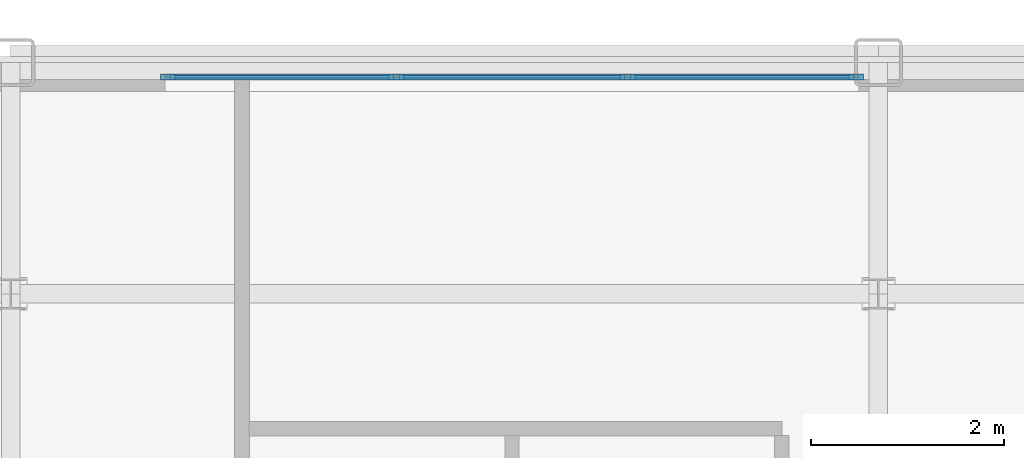
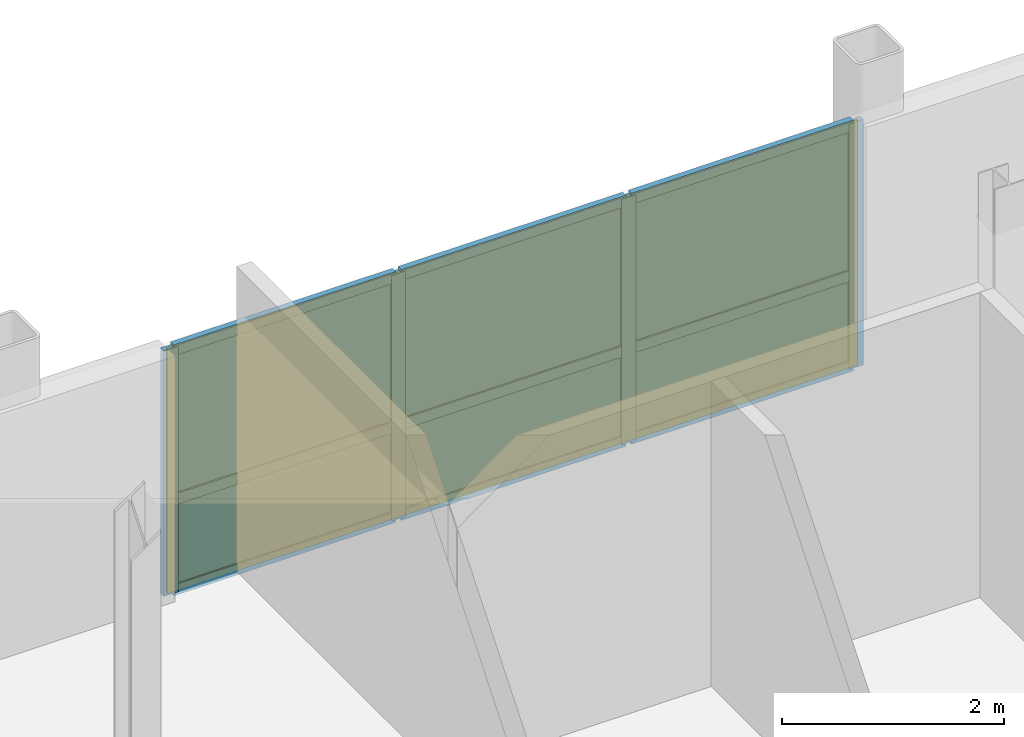
# One storey, part 11 of 16: 13 members, 6 plates, 1 curtain wall.
"""IFC4 building model written with IfcOpenShell, lengths in metres."""

import ifcopenshell
import ifcopenshell.guid

model = None  # the IFC model being written
_history = None  # IfcOwnerHistory: only IFC2X3 demands one
_inside = {}  # id of a spatial element -> (the spatial element, [elements in it])
_under = {}  # id of a project, library or spatial element -> (it, [spatial elements below it])
_declared = {}  # id of a project -> (the project, [libraries it declares])
_typed = {}  # id of a type object -> (the type object, [elements of that type])
_made_of = {}  # id of a material, layer set ... -> (it, [elements and type objects made of it])


def new_model(schema):
    """Start an empty IFC model of exactly this schema.

    Asked for "IFC4X3", IfcOpenShell would pick the latest addendum, in which some entities
    have other attributes; the version numbers below select the first issue.
    IFC2X3 requires an IfcOwnerHistory on every rooted entity: one is made here for all.
    """
    global model, _history
    if schema == "IFC4X3":
        model = ifcopenshell.file(schema_version=(4, 3, 0, 0))
    else:
        model = ifcopenshell.file(schema=schema)
    _inside.clear()
    _under.clear()
    _declared.clear()
    _typed.clear()
    _made_of.clear()
    _history = None
    if model.schema == "IFC2X3":
        org = make("IfcOrganization", Name="unknown")
        user = make(
            "IfcPersonAndOrganization",
            ThePerson=make("IfcPerson", FamilyName="unknown"),
            TheOrganization=org,
        )
        app = make(
            "IfcApplication",
            ApplicationDeveloper=org,
            Version="unknown",
            ApplicationFullName="unknown",
            ApplicationIdentifier="unknown",
        )
        _history = make(
            "IfcOwnerHistory",
            OwningUser=user,
            OwningApplication=app,
            ChangeAction="ADDED",
            CreationDate=0,
        )
    return model


def make(cls, **values):
    """One entity of the class cls with the attributes given. An attribute that is None is left unset."""
    return model.create_entity(
        cls, **{name: value for name, value in values.items() if value is not None}
    )


def rooted(cls, **values):
    """An entity with a GlobalId (a new one), such as an element, a storey or a relation."""
    return make(cls, GlobalId=ifcopenshell.guid.new(), OwnerHistory=_history, **values)


def si_unit(unit_type, name, prefix=None):
    """IfcSIUnit, for example si_unit("LENGTHUNIT", "METRE", prefix="MILLI")."""
    return make("IfcSIUnit", UnitType=unit_type, Prefix=prefix, Name=name)


def assignment(units):
    """IfcUnitAssignment: the units of a project."""
    return None if units is None else make("IfcUnitAssignment", Units=units)


def point(xyz):
    """IfcCartesianPoint."""
    return None if xyz is None else make("IfcCartesianPoint", Coordinates=xyz)


def direction(xyz):
    """IfcDirection."""
    return None if xyz is None else make("IfcDirection", DirectionRatios=xyz)


def frame(location, z_axis=None, x_axis=None):
    """IfcAxis2Placement3D, a coordinate frame: its origin and axes. An axis left out is left unset."""
    return make(
        "IfcAxis2Placement3D",
        Location=point(location),
        Axis=direction(z_axis),
        RefDirection=direction(x_axis),
    )


def frame_2d(location, x_axis=None):
    """IfcAxis2Placement2D, a coordinate frame in the plane: its origin and x axis."""
    return make(
        "IfcAxis2Placement2D", Location=point(location), RefDirection=direction(x_axis)
    )


def origin():
    """The frame at (0, 0, 0) with its axes left unset."""
    return frame((0.0, 0.0, 0.0))


def origin_2d():
    """The frame at (0, 0) in the plane with its x axis left unset."""
    return frame_2d((0.0, 0.0))


def place(relative_to, where):
    """IfcLocalPlacement: puts the frame where relative to a parent placement (None: the world)."""
    return make(
        "IfcLocalPlacement", PlacementRelTo=relative_to, RelativePlacement=where
    )


def context(
    kind, dimensions, precision=None, world=None, true_north=None, identifier=None
):
    """IfcGeometricRepresentationContext, for example the 3D "Model" context."""
    return make(
        "IfcGeometricRepresentationContext",
        ContextIdentifier=identifier,
        ContextType=kind,
        CoordinateSpaceDimension=dimensions,
        Precision=precision,
        WorldCoordinateSystem=world,
        TrueNorth=true_north,
    )


def subcontext(parent, identifier, kind, view, scale=None):
    """IfcGeometricRepresentationSubContext, for example "Body" below "Model"."""
    return make(
        "IfcGeometricRepresentationSubContext",
        ContextIdentifier=identifier,
        ContextType=kind,
        ParentContext=parent,
        TargetScale=scale,
        TargetView=view,
    )


def project(units=None, contexts=None):
    """IfcProject with its units and contexts."""
    return rooted(
        "IfcProject",
        Name="project",
        RepresentationContexts=contexts,
        UnitsInContext=assignment(units),
    )


def spatial(cls, under=None, at=None, **own):
    """A site, building, storey or space (cls), placed at a placement, below another one or the project."""
    s = rooted(cls, ObjectPlacement=at, **own)
    if under is not None:
        _under.setdefault(under.id(), (under, []))[1].append(s)
    return s


def profile(cls, at=None, kind="AREA", **sizes):
    """A parametric profile (cls). Its sizes go by their IFC names, for example OverallWidth=200.0."""
    return make(cls, ProfileType=kind, Position=at, **sizes)


def rectangle(**sizes):
    """IfcRectangleProfileDef."""
    return profile("IfcRectangleProfileDef", **sizes)


def extrude(swept, where, along, depth):
    """IfcExtrudedAreaSolid: the profile swept, set in the frame where, extruded along a direction by depth."""
    return make(
        "IfcExtrudedAreaSolid",
        SweptArea=swept,
        Position=where,
        ExtrudedDirection=direction(along),
        Depth=depth,
    )


def shape(context_of_items, identifier, shape_type, items):
    """IfcShapeRepresentation: the items that make up one representation, for example the "Body"."""
    return make(
        "IfcShapeRepresentation",
        ContextOfItems=context_of_items,
        RepresentationIdentifier=identifier,
        RepresentationType=shape_type,
        Items=items,
    )


def source(mapping_origin, context_of_items, identifier, shape_type, items):
    """IfcRepresentationMap: a shape defined once, which mapped items show again and again."""
    return make(
        "IfcRepresentationMap",
        MappingOrigin=mapping_origin,
        MappedRepresentation=shape(context_of_items, identifier, shape_type, items),
    )


def transform(
    local_origin,
    x_axis=None,
    y_axis=None,
    z_axis=None,
    scale=None,
    scale2=None,
    scale3=None,
    uniform=True,
):
    """IfcCartesianTransformationOperator3D, or its non-uniform kind. x_axis, y_axis, z_axis: its Axis1, 2, 3."""
    if uniform:
        return make(
            "IfcCartesianTransformationOperator3D",
            Axis1=direction(x_axis),
            Axis2=direction(y_axis),
            LocalOrigin=point(local_origin),
            Scale=scale,
            Axis3=direction(z_axis),
        )
    return make(
        "IfcCartesianTransformationOperator3DnonUniform",
        Axis1=direction(x_axis),
        Axis2=direction(y_axis),
        LocalOrigin=point(local_origin),
        Scale=scale,
        Axis3=direction(z_axis),
        Scale2=scale2,
        Scale3=scale3,
    )


def mapped(mapping_source, mapping_target):
    """IfcMappedItem: shows the shape of a source again, moved by a transform."""
    return make(
        "IfcMappedItem", MappingSource=mapping_source, MappingTarget=mapping_target
    )


def material(Name=None, Category=None):
    """IfcMaterial."""
    return make("IfcMaterial", Name=Name, Category=Category)


def layer(
    of_material, thickness, ventilated=None, Name=None, Category=None, Priority=None
):
    """IfcMaterialLayer: one layer of a wall or slab, of a material (None: an air gap)."""
    return make(
        "IfcMaterialLayer",
        Material=of_material,
        LayerThickness=thickness,
        IsVentilated=ventilated,
        Name=Name,
        Category=Category,
        Priority=Priority,
    )


def layer_set(layers, Name=None):
    """IfcMaterialLayerSet."""
    return make("IfcMaterialLayerSet", MaterialLayers=layers, LayerSetName=Name)


def material_profile(
    of_material, cross_section, Name=None, Category=None, Priority=None
):
    """IfcMaterialProfile: a cross section and its material."""
    return make(
        "IfcMaterialProfile",
        Name=Name,
        Material=of_material,
        Profile=cross_section,
        Priority=Priority,
        Category=Category,
    )


def profile_set(profiles, Name=None, composite=None):
    """IfcMaterialProfileSet."""
    return make(
        "IfcMaterialProfileSet",
        Name=Name,
        MaterialProfiles=profiles,
        CompositeProfile=composite,
    )


def made_of(thing, what):
    """Note that an element or type object is made of a material, layer set ...; save() writes the relation."""
    if what is not None:
        _made_of.setdefault(what.id(), (what, []))[1].append(thing)
    return thing


def type_object(cls, material=None, **own):
    """A type object (cls), such as IfcWallType, which elements share."""
    return made_of(rooted(cls, **own), material)


def type_shapes(of_type, sources):
    """Give a type object the sources (RepresentationMaps) that its elements show as mapped items."""
    of_type.RepresentationMaps = sources


def element(
    cls,
    number,
    at=None,
    inside=None,
    cuts=None,
    type_object=None,
    material=None,
    context=None,
    identifier="Body",
    shape_type=None,
    held_by="IfcProductDefinitionShape",
    body=None,
    shapes=None,
    **own,
):
    """One element of the class cls, such as IfcWall. Its Tag is "e" and its number.

    at: its placement. inside: the storey or other place that contains it. cuts: it is an
    opening in that element (IfcRelVoidsElement). A single representation is given by context,
    identifier, shape_type and body (its items); several are given by shapes. held_by: the class
    of the entity that holds the representations. save() writes the other relations.
    """
    e = rooted(cls, Tag="e%d" % number, ObjectPlacement=at, **own)
    if body is not None:
        shapes = [shape(context, identifier, shape_type, body)]
    if shapes is not None:
        e.Representation = make(held_by, Representations=shapes)
    if inside is not None:
        _inside.setdefault(inside.id(), (inside, []))[1].append(e)
    if cuts is not None:
        rooted(
            "IfcRelVoidsElement", RelatingBuildingElement=cuts, RelatedOpeningElement=e
        )
    if type_object is not None:
        _typed.setdefault(type_object.id(), (type_object, []))[1].append(e)
    return made_of(e, material)


def aggregate(whole, parts):
    """IfcRelAggregates: a whole, such as a stair, and the parts it consists of."""
    return rooted("IfcRelAggregates", RelatingObject=whole, RelatedObjects=parts)


def save(model, path):
    """Write the relations noted so far, then the file.

    IfcRelAggregates (storeys below a building ...), IfcRelContainedInSpatialStructure (elements
    in a storey), IfcRelDefinesByType, IfcRelAssociatesMaterial and IfcRelDeclares: one each for
    every whole, place, type object, material and project.
    """
    for whole, parts in _under.values():
        aggregate(whole, parts)
    for where, things in _inside.values():
        rooted(
            "IfcRelContainedInSpatialStructure",
            RelatedElements=things,
            RelatingStructure=where,
        )
    for kind, things in _typed.values():
        rooted("IfcRelDefinesByType", RelatedObjects=things, RelatingType=kind)
    for what, things in _made_of.values():
        rooted("IfcRelAssociatesMaterial", RelatedObjects=things, RelatingMaterial=what)
    for by, libraries in _declared.values():
        rooted("IfcRelDeclares", RelatingContext=by, RelatedDefinitions=libraries)
    model.write(path)


model = new_model("IFC4")

# Units and contexts
model_context = context("Model", 3, precision=1e-05, world=origin(), true_north=direction((0.0, 1.0)))
body_context = subcontext(model_context, "Body", "Model", "MODEL_VIEW")
ifc_project = project(units=[si_unit("LENGTHUNIT", "METRE"), si_unit("AREAUNIT", "SQUARE_METRE"), si_unit("VOLUMEUNIT", "CUBIC_METRE"), si_unit("PLANEANGLEUNIT", "RADIAN"), si_unit("MASSUNIT", "GRAM", prefix="KILO")], contexts=[model_context])

# Member
ifc_material_1 = material(Name="Anodised aluminium 6063-T6", Category="aluminium")
ifc_material_profile_1 = material_profile(ifc_material_1, rectangle(XDim=0.06005859375, YDim=0.14990234375, at=origin_2d()), Name="ALU-MULL-60x150")
ifc_profile_set_1 = profile_set([ifc_material_profile_1], Name="Anodised aluminium 6063-T6")
member_type_1 = type_object("IfcMemberType", Name="CWM-4", PredefinedType="MULLION", material=ifc_profile_set_1)
site_placement = place(None, origin())
building_placement = place(site_placement, origin())
storey_placement = place(building_placement, frame((0.0, 0.0, 227.39990234375)))
member_1_placement = place(storey_placement, frame((-7.3701171875, 19.25, 0.0), z_axis=(0.0, 0.0, 1.0), x_axis=(0.0, 1.0, 0.0)))
member_1 = element("IfcMember", 1, at=member_1_placement, type_object=member_type_1, Name="CWS-4 mullion 1", PredefinedType="MULLION", context=body_context, shape_type="SweptSolid", body=[
    extrude(rectangle(XDim=0.06005859375, YDim=0.14990234375, at=origin_2d()), origin(), (0.0, 0.0, 1.0), 2.705078125),
])

member_2_placement = place(storey_placement, frame((-5.0, 19.25, 0.0), z_axis=(0.0, 0.0, 1.0), x_axis=(0.0, 1.0, 0.0)))
member_2 = element("IfcMember", 2, at=member_2_placement, type_object=member_type_1, Name="CWS-4 mullion 2", PredefinedType="MULLION", context=body_context, shape_type="SweptSolid", body=[
    extrude(rectangle(XDim=0.06005859375, YDim=0.14990234375, at=origin_2d()), origin(), (0.0, 0.0, 1.0), 2.705078125),
])

member_3_placement = place(storey_placement, frame((-2.60009765625, 19.25, 0.0), z_axis=(0.0, 0.0, 1.0), x_axis=(0.0, 1.0, 0.0)))
member_3 = element("IfcMember", 3, at=member_3_placement, type_object=member_type_1, Name="CWS-4 mullion 3", PredefinedType="MULLION", context=body_context, shape_type="SweptSolid", body=[
    extrude(rectangle(XDim=0.06005859375, YDim=0.14990234375, at=origin_2d()), origin(), (0.0, 0.0, 1.0), 2.705078125),
])

member_4_placement = place(storey_placement, frame((-0.22998046875, 19.25, 0.0), z_axis=(0.0, 0.0, 1.0), x_axis=(0.0, 1.0, 0.0)))
member_4 = element("IfcMember", 4, at=member_4_placement, type_object=member_type_1, Name="CWS-4 mullion 4", PredefinedType="MULLION", context=body_context, shape_type="SweptSolid", body=[
    extrude(rectangle(XDim=0.06005859375, YDim=0.14990234375, at=origin_2d()), origin(), (0.0, 0.0, 1.0), 2.705078125),
])

ifc_material_profile_2 = material_profile(ifc_material_1, rectangle(XDim=0.06005859375, YDim=0.1201171875, at=origin_2d()), Name="ALU-TRAN-60x120")
ifc_profile_set_2 = profile_set([ifc_material_profile_2], Name="Anodised aluminium 6063-T6")
member_type_2 = type_object("IfcMemberType", Name="CWT-4", PredefinedType="USERDEFINED", material=ifc_profile_set_2)
member_5_placement = place(storey_placement, frame((-7.340087890625, 19.25, 0.030029296875), z_axis=(1.0, 0.0, 0.0), x_axis=(0.0, 1.0, 0.0)))
member_5 = element("IfcMember", 5, at=member_5_placement, type_object=member_type_2, Name="CWS-4 transom 1.1", ObjectType="TRANSOM", PredefinedType="USERDEFINED", context=body_context, shape_type="SweptSolid", body=[
    extrude(rectangle(XDim=0.06005859375, YDim=0.1201171875, at=origin_2d()), origin(), (0.0, 0.0, 1.0), 2.31005859375),
])

member_6_placement = place(storey_placement, frame((-7.340087890625, 19.25, 1.028076171875), z_axis=(1.0, 0.0, 0.0), x_axis=(0.0, 1.0, 0.0)))
member_6 = element("IfcMember", 6, at=member_6_placement, type_object=member_type_2, Name="CWS-4 transom 1.2", ObjectType="TRANSOM", PredefinedType="USERDEFINED", context=body_context, shape_type="SweptSolid", body=[
    extrude(rectangle(XDim=0.06005859375, YDim=0.1201171875, at=origin_2d()), origin(), (0.0, 0.0, 1.0), 2.31005859375),
])

member_7_placement = place(storey_placement, frame((-7.340087890625, 19.25, 2.675048828125), z_axis=(1.0, 0.0, 0.0), x_axis=(0.0, 1.0, 0.0)))
member_7 = element("IfcMember", 7, at=member_7_placement, type_object=member_type_2, Name="CWS-4 transom 1.3", ObjectType="TRANSOM", PredefinedType="USERDEFINED", context=body_context, shape_type="SweptSolid", body=[
    extrude(rectangle(XDim=0.06005859375, YDim=0.1201171875, at=origin_2d()), origin(), (0.0, 0.0, 1.0), 2.31005859375),
])

member_8_placement = place(storey_placement, frame((-4.969970703125, 19.25, 0.030029296875), z_axis=(1.0, 0.0, 0.0), x_axis=(0.0, 1.0, 0.0)))
member_8 = element("IfcMember", 8, at=member_8_placement, type_object=member_type_2, Name="CWS-4 transom 2.1", ObjectType="TRANSOM", PredefinedType="USERDEFINED", context=body_context, shape_type="SweptSolid", body=[
    extrude(rectangle(XDim=0.06005859375, YDim=0.1201171875, at=origin_2d()), origin(), (0.0, 0.0, 1.0), 2.340087890625),
])

member_9_placement = place(storey_placement, frame((-4.969970703125, 19.25, 1.028076171875), z_axis=(1.0, 0.0, 0.0), x_axis=(0.0, 1.0, 0.0)))
member_9 = element("IfcMember", 9, at=member_9_placement, type_object=member_type_2, Name="CWS-4 transom 2.2", ObjectType="TRANSOM", PredefinedType="USERDEFINED", context=body_context, shape_type="SweptSolid", body=[
    extrude(rectangle(XDim=0.06005859375, YDim=0.1201171875, at=origin_2d()), origin(), (0.0, 0.0, 1.0), 2.340087890625),
])

member_10_placement = place(storey_placement, frame((-4.969970703125, 19.25, 2.675048828125), z_axis=(1.0, 0.0, 0.0), x_axis=(0.0, 1.0, 0.0)))
member_10 = element("IfcMember", 10, at=member_10_placement, type_object=member_type_2, Name="CWS-4 transom 2.3", ObjectType="TRANSOM", PredefinedType="USERDEFINED", context=body_context, shape_type="SweptSolid", body=[
    extrude(rectangle(XDim=0.06005859375, YDim=0.1201171875, at=origin_2d()), origin(), (0.0, 0.0, 1.0), 2.340087890625),
])

member_11_placement = place(storey_placement, frame((-2.570068359375, 19.25, 0.030029296875), z_axis=(1.0, 0.0, 0.0), x_axis=(0.0, 1.0, 0.0)))
member_11 = element("IfcMember", 11, at=member_11_placement, type_object=member_type_2, Name="CWS-4 transom 3.1", ObjectType="TRANSOM", PredefinedType="USERDEFINED", context=body_context, shape_type="SweptSolid", body=[
    extrude(rectangle(XDim=0.06005859375, YDim=0.1201171875, at=origin_2d()), origin(), (0.0, 0.0, 1.0), 2.31005859375),
])

member_12_placement = place(storey_placement, frame((-2.570068359375, 19.25, 1.028076171875), z_axis=(1.0, 0.0, 0.0), x_axis=(0.0, 1.0, 0.0)))
member_12 = element("IfcMember", 12, at=member_12_placement, type_object=member_type_2, Name="CWS-4 transom 3.2", ObjectType="TRANSOM", PredefinedType="USERDEFINED", context=body_context, shape_type="SweptSolid", body=[
    extrude(rectangle(XDim=0.06005859375, YDim=0.1201171875, at=origin_2d()), origin(), (0.0, 0.0, 1.0), 2.31005859375),
])

member_13_placement = place(storey_placement, frame((-2.570068359375, 19.25, 2.675048828125), z_axis=(1.0, 0.0, 0.0), x_axis=(0.0, 1.0, 0.0)))
member_13 = element("IfcMember", 13, at=member_13_placement, type_object=member_type_2, Name="CWS-4 transom 3.3", ObjectType="TRANSOM", PredefinedType="USERDEFINED", context=body_context, shape_type="SweptSolid", body=[
    extrude(rectangle(XDim=0.06005859375, YDim=0.1201171875, at=origin_2d()), origin(), (0.0, 0.0, 1.0), 2.31005859375),
])

# Plate
ifc_material_2 = material(Name="Insulated solar-control glass", Category="glass")
ifc_layer_1 = layer(ifc_material_2, 0.02587890625, Name="CWP-4")
ifc_layer_set_1 = layer_set([ifc_layer_1], Name="Insulated solar-control glass")
plate_type = type_object("IfcPlateType", Name="CWP-4", PredefinedType="CURTAIN_PANEL", material=ifc_layer_set_1)
shared_shape_1 = source(origin(), body_context, "Body", "SweptSolid", [
    extrude(rectangle(XDim=2.31005859375, YDim=0.02587890625, at=origin_2d()), origin(), (0.0, 0.0, 1.0), 0.93798828125),
])
plate_1_placement = place(storey_placement, frame((-6.18505859375, 19.25, 0.06005859375), z_axis=(0.0, 0.0, 1.0), x_axis=(1.0, 0.0, 0.0)))
plate_1 = element("IfcPlate", 14, at=plate_1_placement, type_object=plate_type, Name="CWS-4 panel 1.1", PredefinedType="CURTAIN_PANEL", context=body_context, shape_type="MappedRepresentation", body=[
    mapped(shared_shape_1, transform((0.0, 0.0, 0.0), scale=1.0)),
])

plate_2_placement = place(storey_placement, frame((-1.4150390625, 19.25, 0.06005859375), z_axis=(0.0, 0.0, 1.0), x_axis=(1.0, 0.0, 0.0)))
plate_2 = element("IfcPlate", 15, at=plate_2_placement, type_object=plate_type, Name="CWS-4 panel 3.1", PredefinedType="CURTAIN_PANEL", context=body_context, shape_type="MappedRepresentation", body=[
    mapped(shared_shape_1, transform((0.0, 0.0, 0.0), scale=1.0)),
])

shared_shape_2 = source(origin(), body_context, "Body", "SweptSolid", [
    extrude(rectangle(XDim=2.31005859375, YDim=0.02587890625, at=origin_2d()), origin(), (0.0, 0.0, 1.0), 1.587158203125),
])
plate_3_placement = place(storey_placement, frame((-6.18505859375, 19.25, 1.05810546875), z_axis=(0.0, 0.0, 1.0), x_axis=(1.0, 0.0, 0.0)))
plate_3 = element("IfcPlate", 16, at=plate_3_placement, type_object=plate_type, Name="CWS-4 panel 1.2", PredefinedType="CURTAIN_PANEL", context=body_context, shape_type="MappedRepresentation", body=[
    mapped(shared_shape_2, transform((0.0, 0.0, 0.0), scale=1.0)),
])

plate_4_placement = place(storey_placement, frame((-1.4150390625, 19.25, 1.05810546875), z_axis=(0.0, 0.0, 1.0), x_axis=(1.0, 0.0, 0.0)))
plate_4 = element("IfcPlate", 17, at=plate_4_placement, type_object=plate_type, Name="CWS-4 panel 3.2", PredefinedType="CURTAIN_PANEL", context=body_context, shape_type="MappedRepresentation", body=[
    mapped(shared_shape_2, transform((0.0, 0.0, 0.0), scale=1.0)),
])

shared_shape_3 = source(origin(), body_context, "Body", "SweptSolid", [
    extrude(rectangle(XDim=2.340087890625, YDim=0.02587890625, at=origin_2d()), origin(), (0.0, 0.0, 1.0), 0.93798828125),
])
plate_5_placement = place(storey_placement, frame((-3.800048828125, 19.25, 0.06005859375), z_axis=(0.0, 0.0, 1.0), x_axis=(1.0, 0.0, 0.0)))
plate_5 = element("IfcPlate", 18, at=plate_5_placement, type_object=plate_type, Name="CWS-4 panel 2.1", PredefinedType="CURTAIN_PANEL", context=body_context, shape_type="MappedRepresentation", body=[
    mapped(shared_shape_3, transform((0.0, 0.0, 0.0), scale=1.0)),
])

shared_shape_4 = source(origin(), body_context, "Body", "SweptSolid", [
    extrude(rectangle(XDim=2.340087890625, YDim=0.02587890625, at=origin_2d()), origin(), (0.0, 0.0, 1.0), 1.587158203125),
])
type_shapes(plate_type, [shared_shape_1, shared_shape_2, shared_shape_3, shared_shape_4])
plate_6_placement = place(storey_placement, frame((-3.800048828125, 19.25, 1.05810546875), z_axis=(0.0, 0.0, 1.0), x_axis=(1.0, 0.0, 0.0)))
plate_6 = element("IfcPlate", 19, at=plate_6_placement, type_object=plate_type, Name="CWS-4 panel 2.2", PredefinedType="CURTAIN_PANEL", context=body_context, shape_type="MappedRepresentation", body=[
    mapped(shared_shape_4, transform((0.0, 0.0, 0.0), scale=1.0)),
])

# Site, building, storey
site = spatial("IfcSite", under=ifc_project, at=site_placement, CompositionType="ELEMENT")
building = spatial("IfcBuilding", under=site, at=building_placement, Name="Nuvemarco Arch Tower", CompositionType="ELEMENT")
storey = spatial("IfcBuildingStorey", under=building, at=storey_placement, Name="L60", CompositionType="ELEMENT", Elevation=227.39990234375)

# Curtain wall
ifc_layer_2 = layer(ifc_material_2, 0.14990234375, Name="CW-SYS-4")
ifc_layer_set_2 = layer_set([ifc_layer_2], Name="Insulated solar-control glass")
curtain_wall_type = type_object("IfcCurtainWallType", Name="CW-SYS-4", PredefinedType="NOTDEFINED", material=ifc_layer_set_2)
curtain_wall_placement = place(storey_placement, frame((-7.39990234375, 19.25, 0.0), z_axis=(0.0, 0.0, 1.0), x_axis=(1.0, 0.0, 0.0)))
curtain_wall = element("IfcCurtainWall", 20, at=curtain_wall_placement, inside=storey, type_object=curtain_wall_type, Name="L60 curtain wall CWS-4", PredefinedType="NOTDEFINED", context=body_context, shape_type="SweptSolid", body=[
    extrude(rectangle(XDim=7.199951171875, YDim=0.02001953125, at=frame_2d((3.60009765625, 0.0))), origin(), (0.0, 0.0, 1.0), 2.705078125),
])

aggregate(curtain_wall, [member_1, member_2, member_3, member_4, member_5, member_6, member_7, plate_1, plate_3, member_8, member_9, member_10, plate_5, plate_6, member_11, member_12, member_13, plate_2, plate_4])

save(model, "model.ifc")
